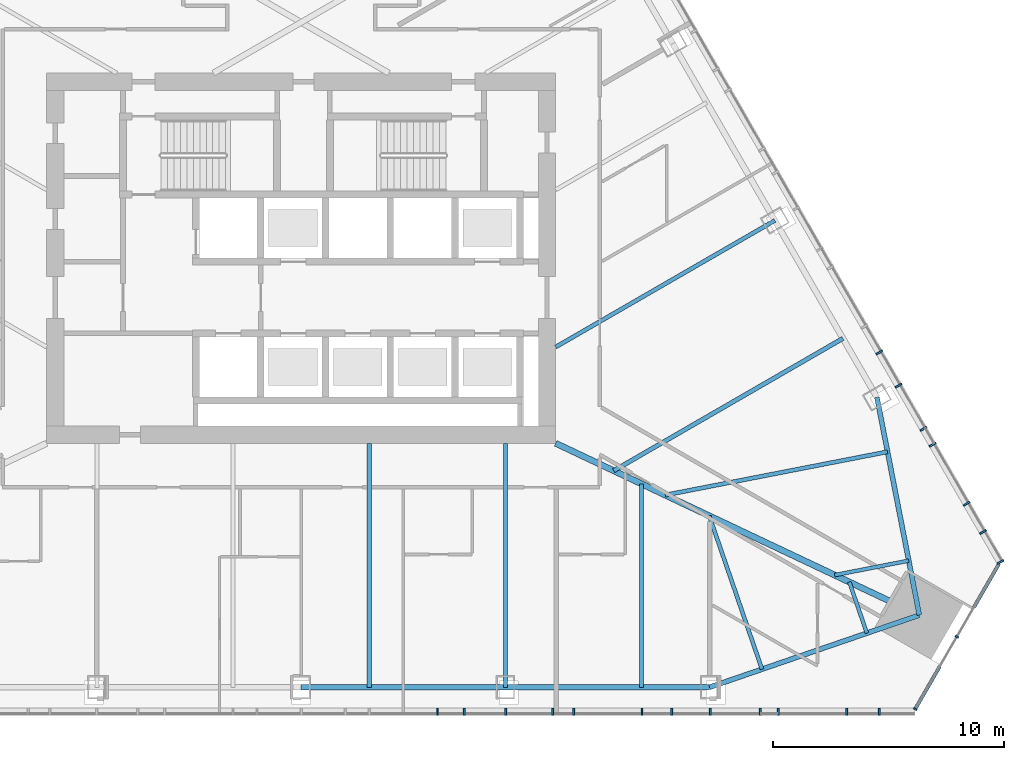
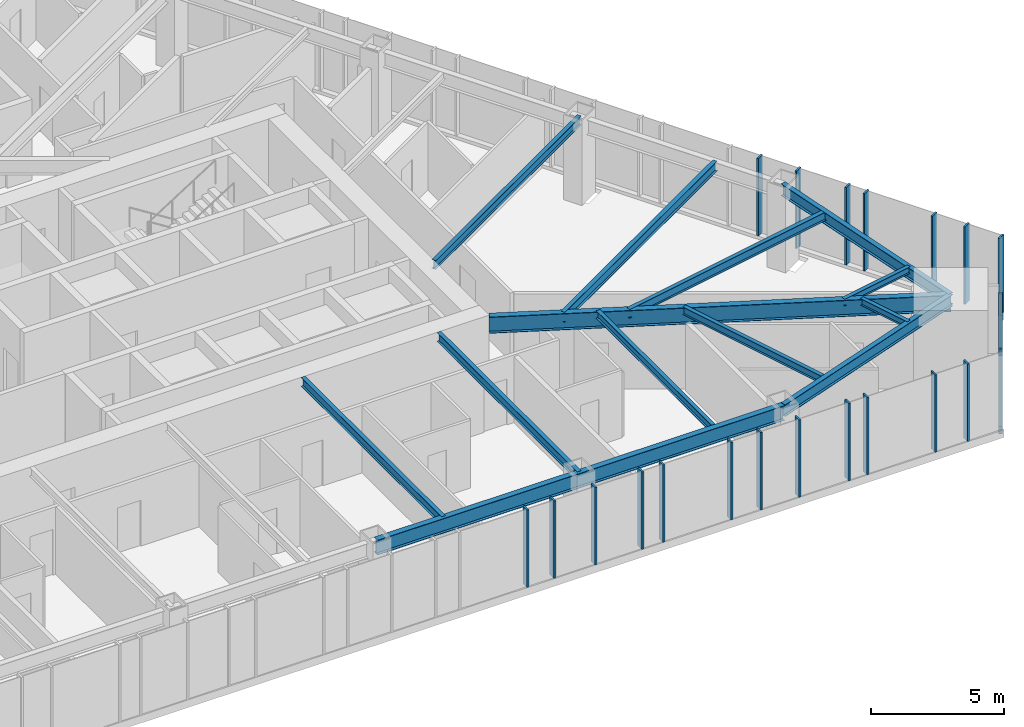
# One storey, part 5 of 19: 23 members, 13 beams, 3 elements without a shape of their own.
"""IFC4 building model written with IfcOpenShell, lengths in metres."""

from ifc_helpers import new_model, si_unit, direction, frame, origin, origin_2d, place, context, subcontext, project, spatial, rectangle, i_section, extrude, material, layer, layer_set, material_profile, profile_set, type_object, element, aggregate, save


model = new_model("IFC4")

# Units and contexts
model_context = context("Model", 3, precision=1e-05, world=origin(), true_north=direction((0.0, 1.0)))
body_context = subcontext(model_context, "Body", "Model", "MODEL_VIEW")
ifc_project = project(units=[si_unit("LENGTHUNIT", "METRE"), si_unit("AREAUNIT", "SQUARE_METRE"), si_unit("VOLUMEUNIT", "CUBIC_METRE"), si_unit("PLANEANGLEUNIT", "RADIAN"), si_unit("MASSUNIT", "GRAM", prefix="KILO")], contexts=[model_context])

# Site, building, storey
site_placement = place(None, origin())
site = spatial("IfcSite", under=ifc_project, at=site_placement, CompositionType="ELEMENT")
building_placement = place(site_placement, origin())
building = spatial("IfcBuilding", under=site, at=building_placement, Name="Firuza Gate Tower and Library", CompositionType="ELEMENT")
storey_placement = place(building_placement, frame((0.0, 0.0, 179.199951171875)))
storey = spatial("IfcBuildingStorey", under=building, at=storey_placement, Name="L41", CompositionType="ELEMENT", Elevation=179.199951171875)

# Curtain wall, members
ifc_material_1 = material(Name="Aluminium 6063-T6", Category="aluminium")
ifc_layer_1 = layer(ifc_material_1, 0.14990234375)
ifc_layer_set_1 = layer_set([ifc_layer_1], Name="Corner curtain wall, chamfers")
curtain_wall_type_1 = type_object("IfcCurtainWallType", Name="Corner curtain wall, chamfers", PredefinedType="NOTDEFINED", material=ifc_layer_set_1)
placement = place(storey_placement, origin())
curtain_wall_1 = element("IfcCurtainWall", 1, at=placement, inside=storey, type_object=curtain_wall_type_1, Name="CW4 L41 SE corner", PredefinedType="NOTDEFINED")
ifc_material_2 = material(Name="Aluminium 6063-T6", Category="aluminium")
ifc_material_profile_1 = material_profile(ifc_material_2, rectangle(XDim=0.14990234375, YDim=0.080078125, at=origin_2d()))
ifc_profile_set_1 = profile_set([ifc_material_profile_1], Name="Aluminium 6063-T6")
member_type_1 = type_object("IfcMemberType", Name="Curtain wall mullion 80x150", PredefinedType="MULLION", material=ifc_profile_set_1)
member_1_placement = place(storey_placement, frame((101.534912109375, 55.519287109375, 0.150146484375), z_axis=(0.0, 0.0, 1.0), x_axis=(-0.866025403784, 0.5, 0.0)))
member_1 = element("IfcMember", 2, at=member_1_placement, type_object=member_type_1, Name="Mullion", PredefinedType="MULLION", context=body_context, shape_type="SweptSolid", body=[
    extrude(rectangle(XDim=0.14990234375, YDim=0.080078125, at=origin_2d()), origin(), (0.0, 0.0, 1.0), 3.5498046875),
])
member_2_placement = place(storey_placement, frame((103.33642578125, 58.639892578125, 0.150146484375), z_axis=(0.0, 0.0, 1.0), x_axis=(-0.866025403784, 0.5, 0.0)))
member_2 = element("IfcMember", 3, at=member_2_placement, type_object=member_type_1, Name="Mullion", PredefinedType="MULLION", context=body_context, shape_type="SweptSolid", body=[
    extrude(rectangle(XDim=0.14990234375, YDim=0.080078125, at=origin_2d()), origin(), (0.0, 0.0, 1.0), 3.5498046875),
])

ifc_material_3 = material(Name="Aluminium 6063-T6", Category="aluminium")
ifc_layer_2 = layer(ifc_material_3, 0.14990234375)
ifc_layer_set_2 = layer_set([ifc_layer_2], Name="Unitised curtain wall, hotel")
curtain_wall_type_2 = type_object("IfcCurtainWallType", Name="Unitised curtain wall, hotel", PredefinedType="NOTDEFINED", material=ifc_layer_set_2)
curtain_wall_2 = element("IfcCurtainWall", 4, at=placement, inside=storey, type_object=curtain_wall_type_2, Name="CW2 L41 S face", PredefinedType="NOTDEFINED")
ifc_material_4 = material(Name="Aluminium 6063-T6", Category="aluminium")
ifc_material_profile_2 = material_profile(ifc_material_4, rectangle(XDim=0.320068359375, YDim=0.080078125, at=origin_2d()))
ifc_profile_set_2 = profile_set([ifc_material_profile_2], Name="Aluminium 6063-T6")
member_type_2 = type_object("IfcMemberType", Name="Curtain wall mullion 80x320", PredefinedType="MULLION", material=ifc_profile_set_2)
member_3_placement = place(storey_placement, frame((80.89208984375, 55.399658203125, 0.150146484375), z_axis=(0.0, 0.0, 1.0), x_axis=(0.0, 1.0, 0.0)))
member_3 = element("IfcMember", 5, at=member_3_placement, type_object=member_type_2, Name="Mullion", PredefinedType="MULLION", context=body_context, shape_type="SweptSolid", body=[
    extrude(rectangle(XDim=0.320068359375, YDim=0.080078125, at=origin_2d()), origin(), (0.0, 0.0, 1.0), 3.5498046875),
])
member_4_placement = place(storey_placement, frame((83.83837890625, 55.399658203125, 0.150146484375), z_axis=(0.0, 0.0, 1.0), x_axis=(0.0, 1.0, 0.0)))
member_4 = element("IfcMember", 6, at=member_4_placement, type_object=member_type_2, Name="Mullion", PredefinedType="MULLION", context=body_context, shape_type="SweptSolid", body=[
    extrude(rectangle(XDim=0.320068359375, YDim=0.080078125, at=origin_2d()), origin(), (0.0, 0.0, 1.0), 3.5498046875),
])
member_5_placement = place(storey_placement, frame((86.784423828125, 55.399658203125, 0.150146484375), z_axis=(0.0, 0.0, 1.0), x_axis=(0.0, 1.0, 0.0)))
member_5 = element("IfcMember", 7, at=member_5_placement, type_object=member_type_2, Name="Mullion", PredefinedType="MULLION", context=body_context, shape_type="SweptSolid", body=[
    extrude(rectangle(XDim=0.320068359375, YDim=0.080078125, at=origin_2d()), origin(), (0.0, 0.0, 1.0), 3.5498046875),
])
member_6_placement = place(storey_placement, frame((89.73046875, 55.399658203125, 0.150146484375), z_axis=(0.0, 0.0, 1.0), x_axis=(0.0, 1.0, 0.0)))
member_6 = element("IfcMember", 8, at=member_6_placement, type_object=member_type_2, Name="Mullion", PredefinedType="MULLION", context=body_context, shape_type="SweptSolid", body=[
    extrude(rectangle(XDim=0.320068359375, YDim=0.080078125, at=origin_2d()), origin(), (0.0, 0.0, 1.0), 3.5498046875),
])
member_7_placement = place(storey_placement, frame((92.676513671875, 55.399658203125, 0.150146484375), z_axis=(0.0, 0.0, 1.0), x_axis=(0.0, 1.0, 0.0)))
member_7 = element("IfcMember", 9, at=member_7_placement, type_object=member_type_2, Name="Mullion", PredefinedType="MULLION", context=body_context, shape_type="SweptSolid", body=[
    extrude(rectangle(XDim=0.320068359375, YDim=0.080078125, at=origin_2d()), origin(), (0.0, 0.0, 1.0), 3.5498046875),
])
member_8_placement = place(storey_placement, frame((95.62255859375, 55.399658203125, 0.150146484375), z_axis=(0.0, 0.0, 1.0), x_axis=(0.0, 1.0, 0.0)))
member_8 = element("IfcMember", 10, at=member_8_placement, type_object=member_type_2, Name="Mullion", PredefinedType="MULLION", context=body_context, shape_type="SweptSolid", body=[
    extrude(rectangle(XDim=0.320068359375, YDim=0.080078125, at=origin_2d()), origin(), (0.0, 0.0, 1.0), 3.5498046875),
])
member_9_placement = place(storey_placement, frame((98.56884765625, 55.399658203125, 0.150146484375), z_axis=(0.0, 0.0, 1.0), x_axis=(0.0, 1.0, 0.0)))
member_9 = element("IfcMember", 11, at=member_9_placement, type_object=member_type_2, Name="Mullion", PredefinedType="MULLION", context=body_context, shape_type="SweptSolid", body=[
    extrude(rectangle(XDim=0.320068359375, YDim=0.080078125, at=origin_2d()), origin(), (0.0, 0.0, 1.0), 3.5498046875),
])
member_10_placement = place(storey_placement, frame((82.05517578125, 55.399658203125, 0.150146484375), z_axis=(0.0, 0.0, 1.0), x_axis=(0.0, 1.0, 0.0)))
member_10 = element("IfcMember", 12, at=member_10_placement, type_object=member_type_2, Name="Mullion", PredefinedType="MULLION", context=body_context, shape_type="SweptSolid", body=[
    extrude(rectangle(XDim=0.320068359375, YDim=0.080078125, at=origin_2d()), origin(), (0.0, 0.0, 1.0), 3.5498046875),
])
member_11_placement = place(storey_placement, frame((85.86865234375, 55.399658203125, 0.150146484375), z_axis=(0.0, 0.0, 1.0), x_axis=(0.0, 1.0, 0.0)))
member_11 = element("IfcMember", 13, at=member_11_placement, type_object=member_type_2, Name="Mullion", PredefinedType="MULLION", context=body_context, shape_type="SweptSolid", body=[
    extrude(rectangle(XDim=0.320068359375, YDim=0.080078125, at=origin_2d()), origin(), (0.0, 0.0, 1.0), 3.5498046875),
])
member_12_placement = place(storey_placement, frame((91.01708984375, 55.399658203125, 0.150146484375), z_axis=(0.0, 0.0, 1.0), x_axis=(0.0, 1.0, 0.0)))
member_12 = element("IfcMember", 14, at=member_12_placement, type_object=member_type_2, Name="Mullion", PredefinedType="MULLION", context=body_context, shape_type="SweptSolid", body=[
    extrude(rectangle(XDim=0.320068359375, YDim=0.080078125, at=origin_2d()), origin(), (0.0, 0.0, 1.0), 3.5498046875),
])
member_13_placement = place(storey_placement, frame((94.83056640625, 55.399658203125, 0.150146484375), z_axis=(0.0, 0.0, 1.0), x_axis=(0.0, 1.0, 0.0)))
member_13 = element("IfcMember", 15, at=member_13_placement, type_object=member_type_2, Name="Mullion", PredefinedType="MULLION", context=body_context, shape_type="SweptSolid", body=[
    extrude(rectangle(XDim=0.320068359375, YDim=0.080078125, at=origin_2d()), origin(), (0.0, 0.0, 1.0), 3.5498046875),
])
member_14_placement = place(storey_placement, frame((99.97900390625, 55.399658203125, 0.150146484375), z_axis=(0.0, 0.0, 1.0), x_axis=(0.0, 1.0, 0.0)))
member_14 = element("IfcMember", 16, at=member_14_placement, type_object=member_type_2, Name="Mullion", PredefinedType="MULLION", context=body_context, shape_type="SweptSolid", body=[
    extrude(rectangle(XDim=0.320068359375, YDim=0.080078125, at=origin_2d()), origin(), (0.0, 0.0, 1.0), 3.5498046875),
])
aggregate(curtain_wall_2, [member_3, member_4, member_5, member_6, member_7, member_8, member_9, member_10, member_11, member_12, member_13, member_14])

curtain_wall_3 = element("IfcCurtainWall", 17, at=placement, inside=storey, type_object=curtain_wall_type_2, Name="CW2 L41 E face", PredefinedType="NOTDEFINED")
member_15_placement = place(storey_placement, frame((105.211669921875, 61.872314453125, 0.150146484375), z_axis=(0.0, 0.0, 1.0), x_axis=(-0.866025403784, -0.5, 0.0)))
member_15 = element("IfcMember", 18, at=member_15_placement, type_object=member_type_2, Name="Mullion", PredefinedType="MULLION", context=body_context, shape_type="SweptSolid", body=[
    extrude(rectangle(XDim=0.320068359375, YDim=0.080078125, at=origin_2d()), origin(), (0.0, 0.0, 1.0), 3.5498046875),
])
member_16_placement = place(storey_placement, frame((103.7587890625, 64.388916015625, 0.150146484375), z_axis=(0.0, 0.0, 1.0), x_axis=(-0.866025403784, -0.5, 0.0)))
member_16 = element("IfcMember", 19, at=member_16_placement, type_object=member_type_2, Name="Mullion", PredefinedType="MULLION", context=body_context, shape_type="SweptSolid", body=[
    extrude(rectangle(XDim=0.320068359375, YDim=0.080078125, at=origin_2d()), origin(), (0.0, 0.0, 1.0), 3.5498046875),
])
member_17_placement = place(storey_placement, frame((102.28564453125, 66.9404296875, 0.150146484375), z_axis=(0.0, 0.0, 1.0), x_axis=(-0.866025403784, -0.5, 0.0)))
member_17 = element("IfcMember", 20, at=member_17_placement, type_object=member_type_2, Name="Mullion", PredefinedType="MULLION", context=body_context, shape_type="SweptSolid", body=[
    extrude(rectangle(XDim=0.320068359375, YDim=0.080078125, at=origin_2d()), origin(), (0.0, 0.0, 1.0), 3.5498046875),
])
member_18_placement = place(storey_placement, frame((100.812744140625, 69.49169921875, 0.150146484375), z_axis=(0.0, 0.0, 1.0), x_axis=(-0.866025403784, -0.5, 0.0)))
member_18 = element("IfcMember", 21, at=member_18_placement, type_object=member_type_2, Name="Mullion", PredefinedType="MULLION", context=body_context, shape_type="SweptSolid", body=[
    extrude(rectangle(XDim=0.320068359375, YDim=0.080078125, at=origin_2d()), origin(), (0.0, 0.0, 1.0), 3.5498046875),
])
member_19_placement = place(storey_placement, frame((104.4638671875, 63.167724609375, 0.150146484375), z_axis=(0.0, 0.0, 1.0), x_axis=(-0.866025403784, -0.5, 0.0)))
member_19 = element("IfcMember", 22, at=member_19_placement, type_object=member_type_2, Name="Mullion", PredefinedType="MULLION", context=body_context, shape_type="SweptSolid", body=[
    extrude(rectangle(XDim=0.320068359375, YDim=0.080078125, at=origin_2d()), origin(), (0.0, 0.0, 1.0), 3.5498046875),
])
member_20_placement = place(storey_placement, frame((101.8896484375, 67.62646484375, 0.150146484375), z_axis=(0.0, 0.0, 1.0), x_axis=(-0.866025403784, -0.5, 0.0)))
member_20 = element("IfcMember", 23, at=member_20_placement, type_object=member_type_2, Name="Mullion", PredefinedType="MULLION", context=body_context, shape_type="SweptSolid", body=[
    extrude(rectangle(XDim=0.320068359375, YDim=0.080078125, at=origin_2d()), origin(), (0.0, 0.0, 1.0), 3.5498046875),
])
member_21_placement = place(storey_placement, frame((99.98291015625, 70.928955078125, 0.150146484375), z_axis=(0.0, 0.0, 1.0), x_axis=(-0.866025403784, -0.5, 0.0)))
member_21 = element("IfcMember", 24, at=member_21_placement, type_object=member_type_2, Name="Mullion", PredefinedType="MULLION", context=body_context, shape_type="SweptSolid", body=[
    extrude(rectangle(XDim=0.320068359375, YDim=0.080078125, at=origin_2d()), origin(), (0.0, 0.0, 1.0), 3.5498046875),
])
aggregate(curtain_wall_3, [member_15, member_16, member_17, member_18, member_19, member_20, member_21])

# Member
ifc_material_5 = material(Name="Aluminium 6063-T6", Category="aluminium")
ifc_material_profile_3 = material_profile(ifc_material_5, rectangle(XDim=0.14990234375, YDim=0.35009765625, at=origin_2d()))
ifc_profile_set_3 = profile_set([ifc_material_profile_3], Name="Aluminium 6063-T6")
member_type_3 = type_object("IfcMemberType", Name="Curtain wall transom 350x150", PredefinedType="USERDEFINED", material=ifc_profile_set_3)
member_22_placement = place(storey_placement, frame((101.514892578125, 55.484619140625, -0.02490234375), z_axis=(0.499950402033, 0.866054037291, 0.0), x_axis=(-0.866054037291, 0.499950402033, 0.0)))
member_22 = element("IfcMember", 25, at=member_22_placement, type_object=member_type_3, Name="Transom", ObjectType="TRANSOM", PredefinedType="USERDEFINED", context=body_context, shape_type="SweptSolid", body=[
    extrude(rectangle(XDim=0.14990234375, YDim=0.35009765625, at=origin_2d()), origin(), (0.0, 0.0, 1.0), 2.163330078125),
])

member_23_placement = place(storey_placement, frame((104.076416015625, 59.921630859375, -0.02490234375), z_axis=(0.500035042182, 0.866005171226, 0.0), x_axis=(-0.866005171226, 0.500035042182, 0.0)))
member_23 = element("IfcMember", 26, at=member_23_placement, type_object=member_type_3, Name="Transom", ObjectType="TRANSOM", PredefinedType="USERDEFINED", context=body_context, shape_type="SweptSolid", body=[
    extrude(rectangle(XDim=0.14990234375, YDim=0.35009765625, at=origin_2d()), origin(), (0.0, 0.0, 1.0), 2.163330078125),
])

aggregate(curtain_wall_1, [member_1, member_2, member_22, member_23])

# Beams
ifc_material_6 = material(Name="Steel S355", Category="steel")
ifc_material_profile_4 = material_profile(ifc_material_6, i_section(OverallWidth=0.1650390625, OverallDepth=0.31005859375, WebThickness=0.005859375, FlangeThickness=0.009765625, at=origin_2d()))
ifc_profile_set_4 = profile_set([ifc_material_profile_4], Name="Steel S355")
beam_type_1 = type_object("IfcBeamType", Name="W310x39 Floor beam", PredefinedType="JOIST", material=ifc_profile_set_4)
beam_1_placement = place(storey_placement, frame((99.446533203125, 58.798095703125, 3.545166015625), z_axis=(-0.325275479668, 0.945619300949, 0.0), x_axis=(-0.945619300949, -0.325275479668, 0.0)))
element("IfcBeam", 27, at=beam_1_placement, inside=storey, type_object=beam_type_1, Name="Floor beam L41 s31", PredefinedType="JOIST", context=body_context, shape_type="SweptSolid", body=[
    extrude(i_section(OverallWidth=0.1650390625, OverallDepth=0.31005859375, WebThickness=0.005859375, FlangeThickness=0.009765625, at=origin_2d()), origin(), (0.0, 0.0, 1.0), 2.335693359375),
])
beam_2_placement = place(storey_placement, frame((101.254638671875, 61.9296875, 3.545166015625), z_axis=(-0.981558472637, -0.191162142681, 0.0), x_axis=(0.191162142681, -0.981558472637, 0.0)))
element("IfcBeam", 28, at=beam_2_placement, inside=storey, type_object=beam_type_1, Name="Floor beam L41 s40", PredefinedType="JOIST", context=body_context, shape_type="SweptSolid", body=[
    extrude(i_section(OverallWidth=0.1650390625, OverallDepth=0.31005859375, WebThickness=0.005859375, FlangeThickness=0.009765625, at=origin_2d()), origin(), (0.0, 0.0, 1.0), 3.26171875),
])
ifc_material_7 = material(Name="Steel S355", Category="steel")
ifc_material_profile_5 = material_profile(ifc_material_7, i_section(OverallWidth=0.1708984375, OverallDepth=0.35498046875, WebThickness=0.007080078125, FlangeThickness=0.01171875, at=origin_2d()))
ifc_profile_set_5 = profile_set([ifc_material_profile_5], Name="Steel S355")
beam_type_2 = type_object("IfcBeamType", Name="W360x51 Floor beam", PredefinedType="JOIST", material=ifc_profile_set_5)
beam_3_placement = place(storey_placement, frame((89.70654296875, 56.459716796875, 3.5224609375), z_axis=(0.0, 1.0, 0.0), x_axis=(-1.0, 0.0, 0.0)))
element("IfcBeam", 29, at=beam_3_placement, inside=storey, type_object=beam_type_2, Name="Floor beam L41 s25", PredefinedType="JOIST", context=body_context, shape_type="SweptSolid", body=[
    extrude(i_section(OverallWidth=0.1708984375, OverallDepth=0.35498046875, WebThickness=0.007080078125, FlangeThickness=0.01171875, at=origin_2d()), origin(), (0.0, 0.0, 1.0), 8.789306640625),
])
beam_4_placement = place(storey_placement, frame((94.9140625, 57.239013671875, 3.5224609375), z_axis=(-0.32522289411, 0.945637387769, 0.0), x_axis=(-0.945637387769, -0.32522289411, 0.0)))
element("IfcBeam", 30, at=beam_4_placement, inside=storey, type_object=beam_type_2, Name="Floor beam L41 s30", PredefinedType="JOIST", context=body_context, shape_type="SweptSolid", body=[
    extrude(i_section(OverallWidth=0.1708984375, OverallDepth=0.35498046875, WebThickness=0.007080078125, FlangeThickness=0.01171875, at=origin_2d()), origin(), (0.0, 0.0, 1.0), 7.007568359375),
])
ifc_material_8 = material(Name="Steel S355", Category="steel")
ifc_material_profile_6 = material_profile(ifc_material_8, i_section(OverallWidth=0.177978515625, OverallDepth=0.406982421875, WebThickness=0.0078125, FlangeThickness=0.0126953125, at=origin_2d()))
ifc_profile_set_6 = profile_set([ifc_material_profile_6], Name="Steel S355")
beam_type_3 = type_object("IfcBeamType", Name="W410x60 Floor beam", PredefinedType="JOIST", material=ifc_profile_set_6)
for number, where, z_axis, x_axis, name in (
    (31, (77.94140625, 56.459716796875, 3.49658203125), (0.0, 1.0, 0.0), (-1.0, 0.0, 0.0), "Floor beam L41 s23"),
    (32, (83.823974609375, 56.459716796875, 3.49658203125), (0.0, 1.0, 0.0), (-1.0, 0.0, 0.0), "Floor beam L41 s24"),
):
    element("IfcBeam", number, at=place(storey_placement, frame(where, z_axis=z_axis, x_axis=x_axis)), inside=storey, type_object=beam_type_3, Name=name, PredefinedType="JOIST", context=body_context, shape_type="SweptSolid", body=[
        extrude(i_section(OverallWidth=0.177978515625, OverallDepth=0.406982421875, WebThickness=0.0078125, FlangeThickness=0.0126953125, at=origin_2d()), origin(), (0.0, 0.0, 1.0), 10.540283203125),
    ])
beam_5_placement = place(storey_placement, frame((100.33837890625, 66.634521484375, 3.49658203125), z_axis=(-0.981557560879, -0.191166824215, 0.0), x_axis=(0.191166824215, -0.981557560879, 0.0)))
element("IfcBeam", 33, at=beam_5_placement, inside=storey, type_object=beam_type_3, Name="Floor beam L41 s41", PredefinedType="JOIST", context=body_context, shape_type="SweptSolid", body=[
    extrude(i_section(OverallWidth=0.177978515625, OverallDepth=0.406982421875, WebThickness=0.0078125, FlangeThickness=0.0126953125, at=origin_2d()), origin(), (0.0, 0.0, 1.0), 9.78515625),
])
beam_6_placement = place(storey_placement, frame((95.46826171875, 76.62841796875, 3.49658203125), z_axis=(-0.866023451907, -0.500003380735, 0.0), x_axis=(0.500003380735, -0.866023451907, 0.0)))
element("IfcBeam", 34, at=beam_6_placement, inside=storey, type_object=beam_type_3, Name="Floor beam L41 s51", PredefinedType="JOIST", context=body_context, shape_type="SweptSolid", body=[
    extrude(i_section(OverallWidth=0.177978515625, OverallDepth=0.406982421875, WebThickness=0.0078125, FlangeThickness=0.0126953125, at=origin_2d()), origin(), (0.0, 0.0, 1.0), 10.93310546875),
])
ifc_material_9 = material(Name="Steel S355", Category="steel")
ifc_material_profile_7 = material_profile(ifc_material_9, i_section(OverallWidth=0.18994140625, OverallDepth=0.45703125, WebThickness=0.009033203125, FlangeThickness=0.014404296875, at=origin_2d()))
ifc_profile_set_7 = profile_set([ifc_material_profile_7], Name="Steel S355")
beam_type_4 = type_object("IfcBeamType", Name="W460x74 Floor beam", PredefinedType="JOIST", material=ifc_profile_set_7)
beam_7_placement = place(storey_placement, frame((98.40966796875, 71.533935546875, 3.471435546875), z_axis=(-0.866027379035, -0.49999657875, 0.0), x_axis=(0.49999657875, -0.866027379035, 0.0)))
element("IfcBeam", 35, at=beam_7_placement, inside=storey, type_object=beam_type_4, Name="Floor beam L41 s50", PredefinedType="JOIST", context=body_context, shape_type="SweptSolid", body=[
    extrude(i_section(OverallWidth=0.18994140625, OverallDepth=0.45703125, WebThickness=0.009033203125, FlangeThickness=0.014404296875, at=origin_2d()), origin(), (0.0, 0.0, 1.0), 11.435546875),
])
ifc_material_10 = material(Name="Steel S355", Category="steel")
ifc_material_profile_8 = material_profile(ifc_material_10, i_section(OverallWidth=0.212890625, OverallDepth=0.5390625, WebThickness=0.01171875, FlangeThickness=0.018798828125, at=origin_2d()))
ifc_profile_set_8 = profile_set([ifc_material_profile_8], Name="Steel S355")
beam_type_5 = type_object("IfcBeamType", Name="W530x109 Edge beam", PredefinedType="SPANDREL", material=ifc_profile_set_8)
for number, where, z_axis, x_axis, name in (
    (36, (92.647705078125, 56.459716796875, 3.4306640625), (0.945635206182, 0.325229237354, 0.0), (-0.325229237354, 0.945635206182, 0.0), "Edge beam L41 e30"),
    (37, (101.712646484375, 59.577392578125, 3.4306640625), (-0.191162086549, 0.981558483569, 0.0), (-0.981558483569, -0.191162086549, 0.0), "Edge beam L41 e40"),
):
    element("IfcBeam", number, at=place(storey_placement, frame(where, z_axis=z_axis, x_axis=x_axis)), inside=storey, type_object=beam_type_5, Name=name, PredefinedType="SPANDREL", context=body_context, shape_type="SweptSolid", body=[
        extrude(i_section(OverallWidth=0.212890625, OverallDepth=0.5390625, WebThickness=0.01171875, FlangeThickness=0.018798828125, at=origin_2d()), origin(), (0.0, 0.0, 1.0), 9.586181640625),
    ])
ifc_material_11 = material(Name="Steel S355", Category="steel")
ifc_material_profile_9 = material_profile(ifc_material_11, i_section(OverallWidth=0.2529296875, OverallDepth=0.677978515625, WebThickness=0.01171875, FlangeThickness=0.016357421875, at=origin_2d()))
ifc_profile_set_9 = profile_set([ifc_material_profile_9], Name="Steel S355")
beam_type_6 = type_object("IfcBeamType", Name="W690x125 Edge beam", PredefinedType="SPANDREL", material=ifc_profile_set_9)
beam_8_placement = place(storey_placement, frame((75.0, 56.459716796875, 3.361083984375), z_axis=(1.0, 0.0, 0.0), x_axis=(0.0, 1.0, 0.0)))
element("IfcBeam", 38, at=beam_8_placement, inside=storey, type_object=beam_type_6, Name="Edge beam L41 e22", PredefinedType="SPANDREL", context=body_context, shape_type="SweptSolid", body=[
    extrude(i_section(OverallWidth=0.2529296875, OverallDepth=0.677978515625, WebThickness=0.01171875, FlangeThickness=0.016357421875, at=origin_2d()), origin(), (0.0, 0.0, 1.0), 17.647705078125),
])
ifc_material_12 = material(Name="Steel S355", Category="steel")
ifc_material_profile_10 = material_profile(ifc_material_12, i_section(OverallWidth=0.264892578125, OverallDepth=0.7529296875, WebThickness=0.01318359375, FlangeThickness=0.01708984375, at=origin_2d()))
ifc_profile_set_10 = profile_set([ifc_material_profile_10], Name="Steel S355")
beam_type_7 = type_object("IfcBeamType", Name="W760x147 Girder", PredefinedType="BEAM", material=ifc_profile_set_10)
beam_9_placement = place(storey_placement, frame((101.712646484375, 59.577392578125, 3.323486328125), z_axis=(-0.904187610241, 0.427135535266, 0.0), x_axis=(-0.427135535266, -0.904187610241, 0.0)))
element("IfcBeam", 39, at=beam_9_placement, inside=storey, type_object=beam_type_7, Name="Girder L41 gSE", PredefinedType="BEAM", context=body_context, shape_type="SweptSolid", body=[
    extrude(i_section(OverallWidth=0.264892578125, OverallDepth=0.7529296875, WebThickness=0.01318359375, FlangeThickness=0.01708984375, at=origin_2d()), origin(), (0.0, 0.0, 1.0), 17.377685546875),
])

save(model, "model.ifc")
